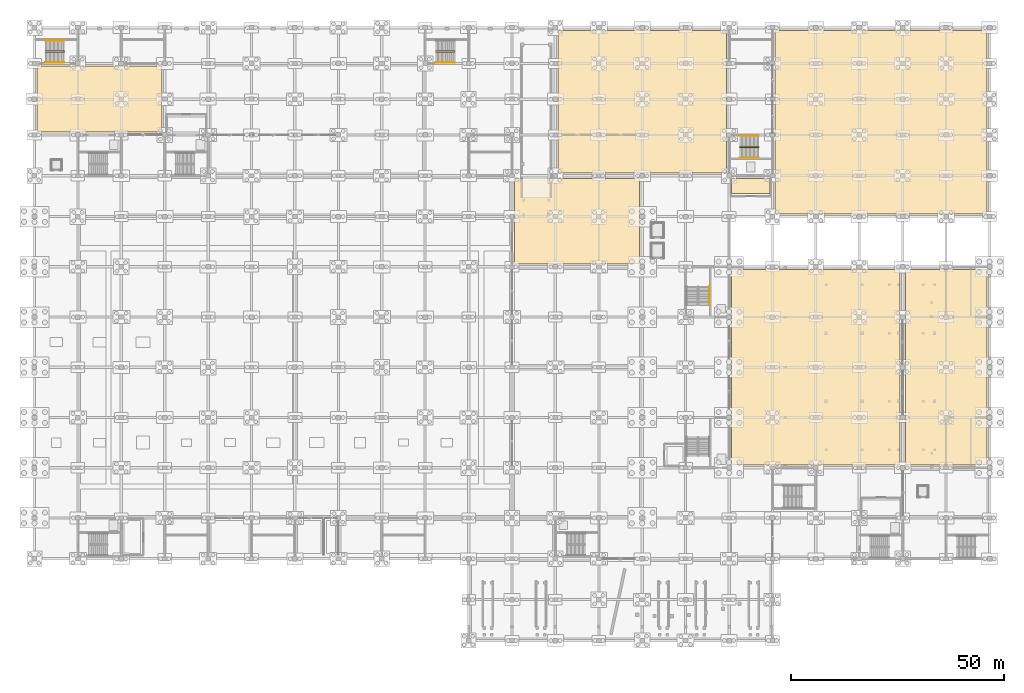
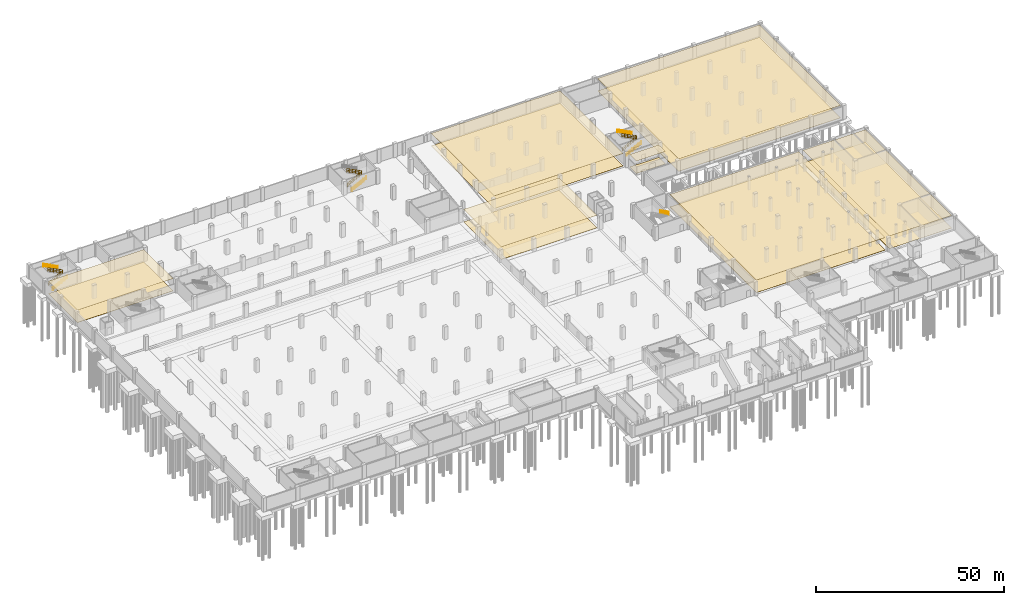
# One storey, part 50 of 52: 14 coverings, 9 railings.
"""IFC4 building model written with IfcOpenShell, lengths in metres."""

from ifc_helpers import new_model, si_unit, direction, frame, origin, origin_2d, place, context, subcontext, project, spatial, polyline, circle, outline, extrude, material, layer, layer_set, type_object, element, save


model = new_model("IFC4")

# Units and contexts
model_context = context("Model", 3, precision=1e-05, world=origin(), true_north=direction((0.0, 1.0)))
body_context = subcontext(model_context, "Body", "Model", "MODEL_VIEW")
ifc_project = project(units=[si_unit("LENGTHUNIT", "METRE"), si_unit("AREAUNIT", "SQUARE_METRE"), si_unit("VOLUMEUNIT", "CUBIC_METRE"), si_unit("PLANEANGLEUNIT", "RADIAN"), si_unit("MASSUNIT", "GRAM", prefix="KILO")], contexts=[model_context])

# Site, building, storey
site_placement = place(None, origin())
site = spatial("IfcSite", under=ifc_project, at=site_placement, CompositionType="ELEMENT")
building_placement = place(site_placement, origin())
building = spatial("IfcBuilding", under=site, at=building_placement, Name="Brelvane Convention Centre", CompositionType="ELEMENT")
storey_placement = place(building_placement, frame((0.0, 0.0, -4.5)))
storey = spatial("IfcBuildingStorey", under=building, at=storey_placement, Name="B1", CompositionType="ELEMENT", Elevation=-4.5)

# Coverings
ifc_material_1 = material(Name="Perforated Anodised Aluminium Alloy 6063 Acoustic Baffle", Category="aluminium")
ifc_layer_1 = layer(ifc_material_1, 0.110107421875)
ifc_layer_set_1 = layer_set([ifc_layer_1], Name="Perforated Anodised Aluminium Alloy 6063 Acoustic Baffle")
covering_type_1 = type_object("IfcCoveringType", Name="Interior Finish CL-BAF-110", PredefinedType="CEILING", material=ifc_layer_set_1)
covering_1_placement = place(storey_placement, frame((0.0, 0.0, 3.989990234375)))
element("IfcCovering", 1, at=covering_1_placement, inside=storey, type_object=covering_type_1, Name="District Chiller Plant Room Acoustic Ceiling (CL-BAF-110)", PredefinedType="CEILING", context=body_context, shape_type="SweptSolid", body=[
    extrude(outline(polyline([(163.830078125, 41.22998046875), (203.3701171875, 41.22998046875), (203.3701171875, 87.169921875), (163.830078125, 87.169921875), (163.830078125, 41.22998046875)])), origin(), (0.0, 0.0, 1.0), 0.110107421875),
])
ifc_material_2 = material(Name="Perforated Anodised Aluminium Alloy 6063 Acoustic Baffle", Category="aluminium")
ifc_layer_2 = layer(ifc_material_2, 0.090087890625)
ifc_layer_set_2 = layer_set([ifc_layer_2], Name="Perforated Anodised Aluminium Alloy 6063 Acoustic Baffle")
covering_type_2 = type_object("IfcCoveringType", Name="Interior Finish CL-BAF-90", PredefinedType="CEILING", material=ifc_layer_set_2)
covering_2_placement = place(storey_placement, frame((0.0, 0.0, 4.010009765625)))
element("IfcCovering", 2, at=covering_2_placement, inside=storey, type_object=covering_type_2, Name="Basement Service Loading Hall Acoustic Ceiling (CL-BAF-90)", PredefinedType="CEILING", context=body_context, shape_type="SweptSolid", body=[
    extrude(outline(polyline([(123.030029296875, 109.830078125), (162.570068359375, 109.830078125), (162.570068359375, 143.3701171875), (123.030029296875, 143.3701171875), (123.030029296875, 109.830078125)])), origin(), (0.0, 0.0, 1.0), 0.090087890625),
])
ifc_material_3 = material(Name="Moisture-Resistant Acoustic Gypsum Ceiling Tile Grade A")
ifc_layer_3 = layer(ifc_material_3, 0.01806640625)
ifc_layer_set_3 = layer_set([ifc_layer_3], Name="Moisture-Resistant Acoustic Gypsum Ceiling Tile Grade A")
covering_type_3 = type_object("IfcCoveringType", Name="Interior Finish CL-GYP-18", PredefinedType="CEILING", material=ifc_layer_set_3)
covering_3_placement = place(storey_placement, frame((0.0, 0.0, 4.037109375)))
element("IfcCovering", 3, at=covering_3_placement, inside=storey, type_object=covering_type_3, Name="Firefighting Lift Lobby C5 Acoustic Ceiling (CL-GYP-18)", PredefinedType="CEILING", context=body_context, shape_type="SweptSolid", body=[
    extrude(outline(polyline([(163.830078125, 105.030029296875), (172.77001953125, 105.030029296875), (172.77001953125, 108.570068359375), (163.830078125, 108.570068359375), (163.830078125, 105.030029296875)])), origin(), (0.0, 0.0, 1.0), 0.017822265625),
])
covering_4_placement = place(storey_placement, frame((0.0, 0.0, 4.08203125)))
element("IfcCovering", 4, at=covering_4_placement, inside=storey, type_object=covering_type_3, Name="Fire Sprinkler and Storm Pump Room Acoustic Ceiling (CL-GYP-18)", PredefinedType="CEILING", context=body_context, shape_type="SweptSolid", body=[
    extrude(outline(polyline([(204.6298828125, 41.22998046875), (223.77001953125, 41.22998046875), (223.77001953125, 87.169921875), (204.6298828125, 87.169921875), (204.6298828125, 41.22998046875)])), origin(), (0.0, 0.0, 1.0), 0.01806640625),
])
ifc_material_4 = material(Name="Moisture-Resistant Acoustic Gypsum Ceiling Tile Grade A")
ifc_layer_4 = layer(ifc_material_4, 0.02490234375)
ifc_layer_set_4 = layer_set([ifc_layer_4], Name="Moisture-Resistant Acoustic Gypsum Ceiling Tile Grade A")
covering_type_4 = type_object("IfcCoveringType", Name="Interior Finish CL-GYP-25", PredefinedType="CEILING", material=ifc_layer_set_4)
covering_5_placement = place(storey_placement, frame((0.0, 0.0, 4.030029296875)))
element("IfcCovering", 5, at=covering_5_placement, inside=storey, type_object=covering_type_4, Name="HT Electrical Substation and UPS Plant Acoustic Ceiling (CL-GYP-25)", PredefinedType="CEILING", context=body_context, shape_type="SweptSolid", body=[
    extrude(outline(polyline([(174.030029296875, 100.22998046875), (223.77001953125, 100.22998046875), (223.77001953125, 143.3701171875), (174.030029296875, 143.3701171875), (174.030029296875, 100.22998046875)])), origin(), (0.0, 0.0, 1.0), 0.02490234375),
])
ifc_material_5 = material(Name="Moisture-Resistant Acoustic Gypsum Ceiling Tile Grade A")
ifc_layer_5 = layer(ifc_material_5, 0.0419921875)
ifc_layer_set_5 = layer_set([ifc_layer_5], Name="Moisture-Resistant Acoustic Gypsum Ceiling Tile Grade A")
covering_type_5 = type_object("IfcCoveringType", Name="Interior Finish CL-GYP-42", PredefinedType="CEILING", material=ifc_layer_set_5)
covering_6_placement = place(storey_placement, frame((0.0, 0.0, 4.077880859375)))
element("IfcCovering", 6, at=covering_6_placement, inside=storey, type_object=covering_type_5, Name="Basement Freight Ramp Marshalling Apron Acoustic Ceiling (CL-GYP-42)", PredefinedType="CEILING", context=body_context, shape_type="SweptSolid", body=[
    extrude(outline(polyline([(112.830078125, 88.429931640625), (142.169921875, 88.429931640625), (142.169921875, 108.570068359375), (112.830078125, 108.570068359375), (112.830078125, 88.429931640625)])), origin(), (0.0, 0.0, 1.0), 0.042236328125),
])
covering_7_placement = place(storey_placement, frame((0.0, 0.0, 4.04296875)))
element("IfcCovering", 7, at=covering_7_placement, inside=storey, type_object=covering_type_5, Name="Housekeeping and Banquet Linen Store Acoustic Ceiling (CL-GYP-42)", PredefinedType="CEILING", context=body_context, shape_type="SweptSolid", body=[
    extrude(outline(polyline([(0.6298828125, 119.429931640625), (29.969970703125, 119.429931640625), (29.969970703125, 134.969970703125), (0.6298828125, 134.969970703125), (0.6298828125, 119.429931640625)])), origin(), (0.0, 0.0, 1.0), 0.0419921875),
])
ifc_material_6 = material(Name="Solution-Dyed Heavy Contract Wool Carpet Class 1")
ifc_layer_6 = layer(ifc_material_6, 0.02197265625)
ifc_layer_set_6 = layer_set([ifc_layer_6], Name="Solution-Dyed Heavy Contract Wool Carpet Class 1")
covering_type_6 = type_object("IfcCoveringType", Name="Interior Finish FL-CPT-22", PredefinedType="FLOORING", material=ifc_layer_set_6)
covering_8_placement = place(storey_placement, origin())
element("IfcCovering", 8, at=covering_8_placement, inside=storey, type_object=covering_type_6, Name="Firefighting Lift Lobby C5 Floor Finish (FL-CPT-22)", PredefinedType="FLOORING", context=body_context, shape_type="SweptSolid", body=[
    extrude(outline(polyline([(163.830078125, 105.030029296875), (172.77001953125, 105.030029296875), (172.77001953125, 108.570068359375), (163.830078125, 108.570068359375), (163.830078125, 105.030029296875)])), origin(), (0.0, 0.0, 1.0), 0.02197265625),
])
covering_9_placement = place(storey_placement, origin())
element("IfcCovering", 9, at=covering_9_placement, inside=storey, type_object=covering_type_6, Name="Fire Sprinkler and Storm Pump Room Floor Finish (FL-CPT-22)", PredefinedType="FLOORING", context=body_context, shape_type="SweptSolid", body=[
    extrude(outline(polyline([(204.6298828125, 41.22998046875), (223.77001953125, 41.22998046875), (223.77001953125, 87.169921875), (204.6298828125, 87.169921875), (204.6298828125, 41.22998046875)])), origin(), (0.0, 0.0, 1.0), 0.02197265625),
])
ifc_material_7 = material(Name="Solution-Dyed Heavy Contract Wool Carpet Class 1")
ifc_layer_7 = layer(ifc_material_7, 0.028076171875)
ifc_layer_set_7 = layer_set([ifc_layer_7], Name="Solution-Dyed Heavy Contract Wool Carpet Class 1")
covering_type_7 = type_object("IfcCoveringType", Name="Interior Finish FL-CPT-28", PredefinedType="FLOORING", material=ifc_layer_set_7)
covering_10_placement = place(storey_placement, origin())
element("IfcCovering", 10, at=covering_10_placement, inside=storey, type_object=covering_type_7, Name="HT Electrical Substation and UPS Plant Floor Finish (FL-CPT-28)", PredefinedType="FLOORING", context=body_context, shape_type="SweptSolid", body=[
    extrude(outline(polyline([(174.030029296875, 100.22998046875), (223.77001953125, 100.22998046875), (223.77001953125, 143.3701171875), (174.030029296875, 143.3701171875), (174.030029296875, 100.22998046875)])), origin(), (0.0, 0.0, 1.0), 0.028076171875),
])
ifc_material_8 = material(Name="Heavy-Duty Quartz-Filled Industrial Epoxy Screed Grade A")
ifc_layer_8 = layer(ifc_material_8, 0.034912109375)
ifc_layer_set_8 = layer_set([ifc_layer_8], Name="Heavy-Duty Quartz-Filled Industrial Epoxy Screed Grade A")
covering_type_8 = type_object("IfcCoveringType", Name="Interior Finish FL-EPX-35", PredefinedType="FLOORING", material=ifc_layer_set_8)
covering_11_placement = place(storey_placement, origin())
element("IfcCovering", 11, at=covering_11_placement, inside=storey, type_object=covering_type_8, Name="Basement Service Loading Hall Floor Finish (FL-EPX-35)", PredefinedType="FLOORING", context=body_context, shape_type="SweptSolid", body=[
    extrude(outline(polyline([(123.030029296875, 109.830078125), (162.570068359375, 109.830078125), (162.570068359375, 143.3701171875), (123.030029296875, 143.3701171875), (123.030029296875, 109.830078125)])), origin(), (0.0, 0.0, 1.0), 0.034912109375),
])
ifc_material_9 = material(Name="Heavy-Duty Quartz-Filled Industrial Epoxy Screed Grade A")
ifc_layer_9 = layer(ifc_material_9, 0.044921875)
ifc_layer_set_9 = layer_set([ifc_layer_9], Name="Heavy-Duty Quartz-Filled Industrial Epoxy Screed Grade A")
covering_type_9 = type_object("IfcCoveringType", Name="Interior Finish FL-EPX-45", PredefinedType="FLOORING", material=ifc_layer_set_9)
covering_12_placement = place(storey_placement, origin())
element("IfcCovering", 12, at=covering_12_placement, inside=storey, type_object=covering_type_9, Name="District Chiller Plant Room Floor Finish (FL-EPX-45)", PredefinedType="FLOORING", context=body_context, shape_type="SweptSolid", body=[
    extrude(outline(polyline([(163.830078125, 41.22998046875), (203.3701171875, 41.22998046875), (203.3701171875, 87.169921875), (163.830078125, 87.169921875), (163.830078125, 41.22998046875)])), origin(), (0.0, 0.0, 1.0), 0.044921875),
])
ifc_material_10 = material(Name="Polished Basalt-Aggregate Terrazzo Screed Concrete M30", Category="masonry")
ifc_layer_10 = layer(ifc_material_10, 0.054931640625)
ifc_layer_set_10 = layer_set([ifc_layer_10], Name="Polished Basalt-Aggregate Terrazzo Screed Concrete M30")
covering_type_10 = type_object("IfcCoveringType", Name="Interior Finish FL-STN-55", PredefinedType="FLOORING", material=ifc_layer_set_10)
covering_13_placement = place(storey_placement, origin())
element("IfcCovering", 13, at=covering_13_placement, inside=storey, type_object=covering_type_10, Name="Basement Freight Ramp Marshalling Apron Floor Finish (FL-STN-55)", PredefinedType="FLOORING", context=body_context, shape_type="SweptSolid", body=[
    extrude(outline(polyline([(112.830078125, 88.429931640625), (142.169921875, 88.429931640625), (142.169921875, 108.570068359375), (112.830078125, 108.570068359375), (112.830078125, 88.429931640625)])), origin(), (0.0, 0.0, 1.0), 0.054931640625),
])
covering_14_placement = place(storey_placement, origin())
element("IfcCovering", 14, at=covering_14_placement, inside=storey, type_object=covering_type_10, Name="Housekeeping and Banquet Linen Store Floor Finish (FL-STN-55)", PredefinedType="FLOORING", context=body_context, shape_type="SweptSolid", body=[
    extrude(outline(polyline([(0.6298828125, 119.429931640625), (29.969970703125, 119.429931640625), (29.969970703125, 134.969970703125), (0.6298828125, 134.969970703125), (0.6298828125, 119.429931640625)])), origin(), (0.0, 0.0, 1.0), 0.054931640625),
])

# Railings
ifc_material_11 = material(Name="Steel E350 (350 MPa)", Category="steel")
railing_type_1 = type_object("IfcRailingType", Name="Stair Railing GR-ST-1", PredefinedType="GUARDRAIL", material=ifc_material_11)
railing_1_placement = place(storey_placement, frame((165.75, 115.840087890625, -0.02001953125)))
element("IfcRailing", 15, at=railing_1_placement, inside=storey, type_object=railing_type_1, Name="Stair ST-05 B1 Inner Well Guard", PredefinedType="GUARDRAIL", context=body_context, shape_type="SweptSolid", body=[
    extrude(circle(Radius=0.02392578125, at=origin_2d()), frame((0.0, 0.0, 1.1259765625), z_axis=(0.889118431412, 0.0, 0.45767719511), x_axis=(0.0, 1.0, 0.0)), (0.0, 0.0, 1.0), 4.9599609375),
    extrude(circle(Radius=0.02392578125, at=origin_2d()), frame((0.0, 0.0, 0.597900390625), z_axis=(0.889118431412, 0.0, 0.45767719511), x_axis=(0.0, 1.0, 0.0)), (0.0, 0.0, 1.0), 4.9599609375),
    extrude(circle(Radius=0.02392578125, at=origin_2d()), frame((0.0, 0.0, 0.139892578125), z_axis=(0.889118431412, 0.0, 0.45767719511), x_axis=(0.0, 1.0, 0.0)), (0.0, 0.0, 1.0), 4.9599609375),
    extrude(circle(Radius=0.02392578125, at=origin_2d()), frame((4.409912109375, 0.0, 3.39599609375), z_axis=(0.0, 1.0, 0.0), x_axis=(-1.0, 0.0, 0.0)), (0.0, 0.0, 1.0), 0.31982421875),
    extrude(circle(Radius=0.02392578125, at=origin_2d()), frame((4.409912109375, 0.0, 2.867919921875), z_axis=(0.0, 1.0, 0.0), x_axis=(-1.0, 0.0, 0.0)), (0.0, 0.0, 1.0), 0.31982421875),
    extrude(circle(Radius=0.02392578125, at=origin_2d()), frame((4.409912109375, 0.0, 2.409912109375), z_axis=(0.0, 1.0, 0.0), x_axis=(-1.0, 0.0, 0.0)), (0.0, 0.0, 1.0), 0.31982421875),
    extrude(circle(Radius=0.02392578125, at=origin_2d()), frame((4.409912109375, 0.31982421875, 3.39599609375), z_axis=(-0.892392434286, 0.0, 0.451260172439), x_axis=(0.0, -1.0, 0.0)), (0.0, 0.0, 1.0), 4.941650390625),
    extrude(circle(Radius=0.02392578125, at=origin_2d()), frame((4.409912109375, 0.31982421875, 2.867919921875), z_axis=(-0.892392434286, 0.0, 0.451260172439), x_axis=(0.0, -1.0, 0.0)), (0.0, 0.0, 1.0), 4.941650390625),
    extrude(circle(Radius=0.02392578125, at=origin_2d()), frame((4.409912109375, 0.31982421875, 2.409912109375), z_axis=(-0.892392434286, 0.0, 0.451260172439), x_axis=(0.0, -1.0, 0.0)), (0.0, 0.0, 1.0), 4.941650390625),
    extrude(circle(Radius=0.02099609375, at=origin_2d()), origin(), (0.0, 0.0, 1.0), 1.101806640625),
    extrude(circle(Radius=0.02099609375, at=origin_2d()), frame((0.882080078125, 0.0, 0.4541015625)), (0.0, 0.0, 1.0), 1.101806640625),
    extrude(circle(Radius=0.02099609375, at=origin_2d()), frame((1.763916015625, 0.0, 0.907958984375)), (0.0, 0.0, 1.0), 1.101806640625),
    extrude(circle(Radius=0.02099609375, at=origin_2d()), frame((2.64599609375, 0.0, 1.362060546875)), (0.0, 0.0, 1.0), 1.101806640625),
    extrude(circle(Radius=0.02099609375, at=origin_2d()), frame((3.52783203125, 0.0, 1.81591796875)), (0.0, 0.0, 1.0), 1.101806640625),
    extrude(circle(Radius=0.02099609375, at=origin_2d()), frame((4.409912109375, 0.0, 2.27001953125)), (0.0, 0.0, 1.0), 1.101806640625),
    extrude(circle(Radius=0.02099609375, at=origin_2d()), frame((4.409912109375, 0.31982421875, 2.27001953125)), (0.0, 0.0, 1.0), 1.101806640625),
    extrude(circle(Radius=0.02099609375, at=origin_2d()), frame((3.52783203125, 0.31982421875, 2.716064453125)), (0.0, 0.0, 1.0), 1.101806640625),
    extrude(circle(Radius=0.02099609375, at=origin_2d()), frame((2.64599609375, 0.31982421875, 3.162109375)), (0.0, 0.0, 1.0), 1.101806640625),
    extrude(circle(Radius=0.02099609375, at=origin_2d()), frame((1.763916015625, 0.31982421875, 3.60791015625)), (0.0, 0.0, 1.0), 1.101806640625),
    extrude(circle(Radius=0.02099609375, at=origin_2d()), frame((0.882080078125, 0.31982421875, 4.053955078125)), (0.0, 0.0, 1.0), 1.101806640625),
    extrude(circle(Radius=0.02099609375, at=origin_2d()), frame((0.0, 0.31982421875, 4.5)), (0.0, 0.0, 1.0), 1.101806640625),
])
railing_2_placement = place(storey_placement, frame((94.35009765625, 138.239990234375, -0.02001953125)))
element("IfcRailing", 16, at=railing_2_placement, inside=storey, type_object=railing_type_1, Name="Stair ST-12 B1 Inner Well Guard", PredefinedType="GUARDRAIL", context=body_context, shape_type="SweptSolid", body=[
    extrude(circle(Radius=0.02392578125, at=origin_2d()), frame((0.0, 0.0, 1.1259765625), z_axis=(0.889118431412, 0.0, 0.45767719511), x_axis=(0.0, 1.0, 0.0)), (0.0, 0.0, 1.0), 4.9599609375),
    extrude(circle(Radius=0.02392578125, at=origin_2d()), frame((0.0, 0.0, 0.597900390625), z_axis=(0.889118431412, 0.0, 0.45767719511), x_axis=(0.0, 1.0, 0.0)), (0.0, 0.0, 1.0), 4.9599609375),
    extrude(circle(Radius=0.02392578125, at=origin_2d()), frame((0.0, 0.0, 0.139892578125), z_axis=(0.889118431412, 0.0, 0.45767719511), x_axis=(0.0, 1.0, 0.0)), (0.0, 0.0, 1.0), 4.9599609375),
    extrude(circle(Radius=0.02392578125, at=origin_2d()), frame((4.409912109375, 0.0, 3.39599609375), z_axis=(0.0, 1.0, 0.0), x_axis=(-1.0, 0.0, 0.0)), (0.0, 0.0, 1.0), 0.320068359375),
    extrude(circle(Radius=0.02392578125, at=origin_2d()), frame((4.409912109375, 0.0, 2.867919921875), z_axis=(0.0, 1.0, 0.0), x_axis=(-1.0, 0.0, 0.0)), (0.0, 0.0, 1.0), 0.320068359375),
    extrude(circle(Radius=0.02392578125, at=origin_2d()), frame((4.409912109375, 0.0, 2.409912109375), z_axis=(0.0, 1.0, 0.0), x_axis=(-1.0, 0.0, 0.0)), (0.0, 0.0, 1.0), 0.320068359375),
    extrude(circle(Radius=0.02392578125, at=origin_2d()), frame((4.409912109375, 0.320068359375, 3.39599609375), z_axis=(-0.892392434286, 0.0, 0.451260172439), x_axis=(0.0, -1.0, 0.0)), (0.0, 0.0, 1.0), 4.941650390625),
    extrude(circle(Radius=0.02392578125, at=origin_2d()), frame((4.409912109375, 0.320068359375, 2.867919921875), z_axis=(-0.892392434286, 0.0, 0.451260172439), x_axis=(0.0, -1.0, 0.0)), (0.0, 0.0, 1.0), 4.941650390625),
    extrude(circle(Radius=0.02392578125, at=origin_2d()), frame((4.409912109375, 0.320068359375, 2.409912109375), z_axis=(-0.892392434286, 0.0, 0.451260172439), x_axis=(0.0, -1.0, 0.0)), (0.0, 0.0, 1.0), 4.941650390625),
    extrude(circle(Radius=0.02099609375, at=origin_2d()), origin(), (0.0, 0.0, 1.0), 1.101806640625),
    extrude(circle(Radius=0.02099609375, at=origin_2d()), frame((0.882080078125, 0.0, 0.4541015625)), (0.0, 0.0, 1.0), 1.101806640625),
    extrude(circle(Radius=0.02099609375, at=origin_2d()), frame((1.763916015625, 0.0, 0.907958984375)), (0.0, 0.0, 1.0), 1.101806640625),
    extrude(circle(Radius=0.02099609375, at=origin_2d()), frame((2.64599609375, 0.0, 1.362060546875)), (0.0, 0.0, 1.0), 1.101806640625),
    extrude(circle(Radius=0.02099609375, at=origin_2d()), frame((3.52783203125, 0.0, 1.81591796875)), (0.0, 0.0, 1.0), 1.101806640625),
    extrude(circle(Radius=0.02099609375, at=origin_2d()), frame((4.409912109375, 0.0, 2.27001953125)), (0.0, 0.0, 1.0), 1.101806640625),
    extrude(circle(Radius=0.02099609375, at=origin_2d()), frame((4.409912109375, 0.320068359375, 2.27001953125)), (0.0, 0.0, 1.0), 1.101806640625),
    extrude(circle(Radius=0.02099609375, at=origin_2d()), frame((3.52783203125, 0.320068359375, 2.716064453125)), (0.0, 0.0, 1.0), 1.101806640625),
    extrude(circle(Radius=0.02099609375, at=origin_2d()), frame((2.64599609375, 0.320068359375, 3.162109375)), (0.0, 0.0, 1.0), 1.101806640625),
    extrude(circle(Radius=0.02099609375, at=origin_2d()), frame((1.763916015625, 0.320068359375, 3.60791015625)), (0.0, 0.0, 1.0), 1.101806640625),
    extrude(circle(Radius=0.02099609375, at=origin_2d()), frame((0.882080078125, 0.320068359375, 4.053955078125)), (0.0, 0.0, 1.0), 1.101806640625),
    extrude(circle(Radius=0.02099609375, at=origin_2d()), frame((0.0, 0.320068359375, 4.5)), (0.0, 0.0, 1.0), 1.101806640625),
])
railing_3_placement = place(storey_placement, frame((2.550048828125, 138.239990234375, -0.02001953125)))
element("IfcRailing", 17, at=railing_3_placement, inside=storey, type_object=railing_type_1, Name="Stair ST-17 B1 Inner Well Guard", PredefinedType="GUARDRAIL", context=body_context, shape_type="SweptSolid", body=[
    extrude(circle(Radius=0.02392578125, at=origin_2d()), frame((0.0, 0.0, 1.1259765625), z_axis=(0.889118431412, 0.0, 0.45767719511), x_axis=(0.0, 1.0, 0.0)), (0.0, 0.0, 1.0), 4.9599609375),
    extrude(circle(Radius=0.02392578125, at=origin_2d()), frame((0.0, 0.0, 0.597900390625), z_axis=(0.889118431412, 0.0, 0.45767719511), x_axis=(0.0, 1.0, 0.0)), (0.0, 0.0, 1.0), 4.9599609375),
    extrude(circle(Radius=0.02392578125, at=origin_2d()), frame((0.0, 0.0, 0.139892578125), z_axis=(0.889118431412, 0.0, 0.45767719511), x_axis=(0.0, 1.0, 0.0)), (0.0, 0.0, 1.0), 4.9599609375),
    extrude(circle(Radius=0.02392578125, at=origin_2d()), frame((4.409912109375, 0.0, 3.39599609375), z_axis=(0.0, 1.0, 0.0), x_axis=(-1.0, 0.0, 0.0)), (0.0, 0.0, 1.0), 0.320068359375),
    extrude(circle(Radius=0.02392578125, at=origin_2d()), frame((4.409912109375, 0.0, 2.867919921875), z_axis=(0.0, 1.0, 0.0), x_axis=(-1.0, 0.0, 0.0)), (0.0, 0.0, 1.0), 0.320068359375),
    extrude(circle(Radius=0.02392578125, at=origin_2d()), frame((4.409912109375, 0.0, 2.409912109375), z_axis=(0.0, 1.0, 0.0), x_axis=(-1.0, 0.0, 0.0)), (0.0, 0.0, 1.0), 0.320068359375),
    extrude(circle(Radius=0.02392578125, at=origin_2d()), frame((4.409912109375, 0.320068359375, 3.39599609375), z_axis=(-0.892392434286, 0.0, 0.451260172439), x_axis=(0.0, -1.0, 0.0)), (0.0, 0.0, 1.0), 4.941650390625),
    extrude(circle(Radius=0.02392578125, at=origin_2d()), frame((4.409912109375, 0.320068359375, 2.867919921875), z_axis=(-0.892392434286, 0.0, 0.451260172439), x_axis=(0.0, -1.0, 0.0)), (0.0, 0.0, 1.0), 4.941650390625),
    extrude(circle(Radius=0.02392578125, at=origin_2d()), frame((4.409912109375, 0.320068359375, 2.409912109375), z_axis=(-0.892392434286, 0.0, 0.451260172439), x_axis=(0.0, -1.0, 0.0)), (0.0, 0.0, 1.0), 4.941650390625),
    extrude(circle(Radius=0.02099609375, at=origin_2d()), origin(), (0.0, 0.0, 1.0), 1.101806640625),
    extrude(circle(Radius=0.02099609375, at=origin_2d()), frame((0.882080078125, 0.0, 0.4541015625)), (0.0, 0.0, 1.0), 1.101806640625),
    extrude(circle(Radius=0.02099609375, at=origin_2d()), frame((1.763916015625, 0.0, 0.907958984375)), (0.0, 0.0, 1.0), 1.101806640625),
    extrude(circle(Radius=0.02099609375, at=origin_2d()), frame((2.64599609375, 0.0, 1.362060546875)), (0.0, 0.0, 1.0), 1.101806640625),
    extrude(circle(Radius=0.02099609375, at=origin_2d()), frame((3.52783203125, 0.0, 1.81591796875)), (0.0, 0.0, 1.0), 1.101806640625),
    extrude(circle(Radius=0.02099609375, at=origin_2d()), frame((4.409912109375, 0.0, 2.27001953125)), (0.0, 0.0, 1.0), 1.101806640625),
    extrude(circle(Radius=0.02099609375, at=origin_2d()), frame((4.409912109375, 0.320068359375, 2.27001953125)), (0.0, 0.0, 1.0), 1.101806640625),
    extrude(circle(Radius=0.02099609375, at=origin_2d()), frame((3.52783203125, 0.320068359375, 2.716064453125)), (0.0, 0.0, 1.0), 1.101806640625),
    extrude(circle(Radius=0.02099609375, at=origin_2d()), frame((2.64599609375, 0.320068359375, 3.162109375)), (0.0, 0.0, 1.0), 1.101806640625),
    extrude(circle(Radius=0.02099609375, at=origin_2d()), frame((1.763916015625, 0.320068359375, 3.60791015625)), (0.0, 0.0, 1.0), 1.101806640625),
    extrude(circle(Radius=0.02099609375, at=origin_2d()), frame((0.882080078125, 0.320068359375, 4.053955078125)), (0.0, 0.0, 1.0), 1.101806640625),
    extrude(circle(Radius=0.02099609375, at=origin_2d()), frame((0.0, 0.320068359375, 4.5)), (0.0, 0.0, 1.0), 1.101806640625),
])
ifc_material_12 = material(Name="Steel E350 (350 MPa)", Category="steel")
railing_type_2 = type_object("IfcRailingType", Name="Stair Railing HR-ST-1", PredefinedType="HANDRAIL", material=ifc_material_12)
railing_4_placement = place(storey_placement, frame((158.570068359375, 83.22998046875, 2.25)))
element("IfcRailing", 18, at=railing_4_placement, inside=storey, type_object=railing_type_2, Name="Stair ST-04 B1 Outer Handrail F2", PredefinedType="HANDRAIL", context=body_context, shape_type="SweptSolid", body=[
    extrude(circle(Radius=0.02392578125, at=origin_2d()), frame((0.0, 0.0, 0.89599609375), z_axis=(0.0, -0.895225852443, 0.445612694072), x_axis=(1.0, 0.0, 0.0)), (0.0, 0.0, 1.0), 5.00439453125),
    extrude(circle(Radius=0.02392578125, at=origin_2d()), frame((0.0, 0.0, 0.478271484375), z_axis=(0.0, -0.895225852443, 0.445612694072), x_axis=(1.0, 0.0, 0.0)), (0.0, 0.0, 1.0), 5.00439453125),
    extrude(circle(Radius=0.02392578125, at=origin_2d()), frame((0.0, 0.0, 0.139892578125), z_axis=(0.0, -0.895225852443, 0.445612694072), x_axis=(1.0, 0.0, 0.0)), (0.0, 0.0, 1.0), 5.00439453125),
    extrude(circle(Radius=0.02099609375, at=origin_2d()), origin(), (0.0, 0.0, 1.0), 0.871826171875),
    extrude(circle(Radius=0.02099609375, at=origin_2d()), frame((0.0, -0.89599609375, 0.446044921875)), (0.0, 0.0, 1.0), 0.871826171875),
    extrude(circle(Radius=0.02099609375, at=origin_2d()), frame((0.0, -1.7919921875, 0.89208984375)), (0.0, 0.0, 1.0), 0.871826171875),
    extrude(circle(Radius=0.02099609375, at=origin_2d()), frame((0.0, -2.68798828125, 1.337890625)), (0.0, 0.0, 1.0), 0.871826171875),
    extrude(circle(Radius=0.02099609375, at=origin_2d()), frame((0.0, -3.583984375, 1.783935546875)), (0.0, 0.0, 1.0), 0.871826171875),
    extrude(circle(Radius=0.02099609375, at=origin_2d()), frame((0.0, -4.47998046875, 2.22998046875)), (0.0, 0.0, 1.0), 0.871826171875),
])
railing_5_placement = place(storey_placement, frame((165.75, 113.429931640625, -0.02001953125)))
element("IfcRailing", 19, at=railing_5_placement, inside=storey, type_object=railing_type_2, Name="Stair ST-05 B1 Outer Handrail F1", PredefinedType="HANDRAIL", context=body_context, shape_type="SweptSolid", body=[
    extrude(circle(Radius=0.02392578125, at=origin_2d()), frame((0.0, 0.0, 0.89599609375), z_axis=(0.889118431412, 0.0, 0.45767719511), x_axis=(0.0, 1.0, 0.0)), (0.0, 0.0, 1.0), 4.9599609375),
    extrude(circle(Radius=0.02392578125, at=origin_2d()), frame((0.0, 0.0, 0.478271484375), z_axis=(0.889118431412, 0.0, 0.45767719511), x_axis=(0.0, 1.0, 0.0)), (0.0, 0.0, 1.0), 4.9599609375),
    extrude(circle(Radius=0.02392578125, at=origin_2d()), frame((0.0, 0.0, 0.139892578125), z_axis=(0.889118431412, 0.0, 0.45767719511), x_axis=(0.0, 1.0, 0.0)), (0.0, 0.0, 1.0), 4.9599609375),
    extrude(circle(Radius=0.02099609375, at=origin_2d()), origin(), (0.0, 0.0, 1.0), 0.871826171875),
    extrude(circle(Radius=0.02099609375, at=origin_2d()), frame((0.882080078125, 0.0, 0.4541015625)), (0.0, 0.0, 1.0), 0.871826171875),
    extrude(circle(Radius=0.02099609375, at=origin_2d()), frame((1.763916015625, 0.0, 0.907958984375)), (0.0, 0.0, 1.0), 0.871826171875),
    extrude(circle(Radius=0.02099609375, at=origin_2d()), frame((2.64599609375, 0.0, 1.362060546875)), (0.0, 0.0, 1.0), 0.871826171875),
    extrude(circle(Radius=0.02099609375, at=origin_2d()), frame((3.52783203125, 0.0, 1.81591796875)), (0.0, 0.0, 1.0), 0.871826171875),
    extrude(circle(Radius=0.02099609375, at=origin_2d()), frame((4.409912109375, 0.0, 2.27001953125)), (0.0, 0.0, 1.0), 0.871826171875),
])
railing_6_placement = place(storey_placement, frame((170.159912109375, 118.570068359375, 2.25)))
element("IfcRailing", 20, at=railing_6_placement, inside=storey, type_object=railing_type_2, Name="Stair ST-05 B1 Outer Handrail F2", PredefinedType="HANDRAIL", context=body_context, shape_type="SweptSolid", body=[
    extrude(circle(Radius=0.02392578125, at=origin_2d()), frame((0.0, 0.0, 0.89599609375), z_axis=(-0.892392434286, 0.0, 0.451260172439), x_axis=(0.0, -1.0, 0.0)), (0.0, 0.0, 1.0), 4.941650390625),
    extrude(circle(Radius=0.02392578125, at=origin_2d()), frame((0.0, 0.0, 0.478271484375), z_axis=(-0.892392434286, 0.0, 0.451260172439), x_axis=(0.0, -1.0, 0.0)), (0.0, 0.0, 1.0), 4.941650390625),
    extrude(circle(Radius=0.02392578125, at=origin_2d()), frame((0.0, 0.0, 0.139892578125), z_axis=(-0.892392434286, 0.0, 0.451260172439), x_axis=(0.0, -1.0, 0.0)), (0.0, 0.0, 1.0), 4.941650390625),
    extrude(circle(Radius=0.02099609375, at=origin_2d()), origin(), (0.0, 0.0, 1.0), 0.871826171875),
    extrude(circle(Radius=0.02099609375, at=origin_2d()), frame((-0.882080078125, 0.0, 0.446044921875)), (0.0, 0.0, 1.0), 0.871826171875),
    extrude(circle(Radius=0.02099609375, at=origin_2d()), frame((-1.763916015625, 0.0, 0.89208984375)), (0.0, 0.0, 1.0), 0.871826171875),
    extrude(circle(Radius=0.02099609375, at=origin_2d()), frame((-2.64599609375, 0.0, 1.337890625)), (0.0, 0.0, 1.0), 0.871826171875),
    extrude(circle(Radius=0.02099609375, at=origin_2d()), frame((-3.52783203125, 0.0, 1.783935546875)), (0.0, 0.0, 1.0), 0.871826171875),
    extrude(circle(Radius=0.02099609375, at=origin_2d()), frame((-4.409912109375, 0.0, 2.22998046875)), (0.0, 0.0, 1.0), 0.871826171875),
])
for number, where, name in (
    (21, (94.35009765625, 135.830078125, -0.02001953125), "Stair ST-12 B1 Outer Handrail F1"),
    (22, (2.550048828125, 135.830078125, -0.02001953125), "Stair ST-17 B1 Outer Handrail F1"),
):
    element("IfcRailing", number, at=place(storey_placement, frame(where)), inside=storey, type_object=railing_type_2, Name=name, PredefinedType="HANDRAIL", context=body_context, shape_type="SweptSolid", body=[
        extrude(circle(Radius=0.02392578125, at=origin_2d()), frame((0.0, 0.0, 0.89599609375), z_axis=(0.889118431412, 0.0, 0.45767719511), x_axis=(0.0, 1.0, 0.0)), (0.0, 0.0, 1.0), 4.9599609375),
        extrude(circle(Radius=0.02392578125, at=origin_2d()), frame((0.0, 0.0, 0.478271484375), z_axis=(0.889118431412, 0.0, 0.45767719511), x_axis=(0.0, 1.0, 0.0)), (0.0, 0.0, 1.0), 4.9599609375),
        extrude(circle(Radius=0.02392578125, at=origin_2d()), frame((0.0, 0.0, 0.139892578125), z_axis=(0.889118431412, 0.0, 0.45767719511), x_axis=(0.0, 1.0, 0.0)), (0.0, 0.0, 1.0), 4.9599609375),
        extrude(circle(Radius=0.02099609375, at=origin_2d()), origin(), (0.0, 0.0, 1.0), 0.871826171875),
        extrude(circle(Radius=0.02099609375, at=origin_2d()), frame((0.882080078125, 0.0, 0.4541015625)), (0.0, 0.0, 1.0), 0.871826171875),
        extrude(circle(Radius=0.02099609375, at=origin_2d()), frame((1.763916015625, 0.0, 0.907958984375)), (0.0, 0.0, 1.0), 0.871826171875),
        extrude(circle(Radius=0.02099609375, at=origin_2d()), frame((2.64599609375, 0.0, 1.362060546875)), (0.0, 0.0, 1.0), 0.871826171875),
        extrude(circle(Radius=0.02099609375, at=origin_2d()), frame((3.52783203125, 0.0, 1.81591796875)), (0.0, 0.0, 1.0), 0.871826171875),
        extrude(circle(Radius=0.02099609375, at=origin_2d()), frame((4.409912109375, 0.0, 2.27001953125)), (0.0, 0.0, 1.0), 0.871826171875),
    ])
railing_7_placement = place(storey_placement, frame((6.9599609375, 140.969970703125, 2.25)))
element("IfcRailing", 23, at=railing_7_placement, inside=storey, type_object=railing_type_2, Name="Stair ST-17 B1 Outer Handrail F2", PredefinedType="HANDRAIL", context=body_context, shape_type="SweptSolid", body=[
    extrude(circle(Radius=0.02392578125, at=origin_2d()), frame((0.0, 0.0, 0.89599609375), z_axis=(-0.892392434286, 0.0, 0.451260172439), x_axis=(0.0, -1.0, 0.0)), (0.0, 0.0, 1.0), 4.941650390625),
    extrude(circle(Radius=0.02392578125, at=origin_2d()), frame((0.0, 0.0, 0.478271484375), z_axis=(-0.892392434286, 0.0, 0.451260172439), x_axis=(0.0, -1.0, 0.0)), (0.0, 0.0, 1.0), 4.941650390625),
    extrude(circle(Radius=0.02392578125, at=origin_2d()), frame((0.0, 0.0, 0.139892578125), z_axis=(-0.892392434286, 0.0, 0.451260172439), x_axis=(0.0, -1.0, 0.0)), (0.0, 0.0, 1.0), 4.941650390625),
    extrude(circle(Radius=0.02099609375, at=origin_2d()), origin(), (0.0, 0.0, 1.0), 0.871826171875),
    extrude(circle(Radius=0.02099609375, at=origin_2d()), frame((-0.882080078125, 0.0, 0.446044921875)), (0.0, 0.0, 1.0), 0.871826171875),
    extrude(circle(Radius=0.02099609375, at=origin_2d()), frame((-1.763916015625, 0.0, 0.89208984375)), (0.0, 0.0, 1.0), 0.871826171875),
    extrude(circle(Radius=0.02099609375, at=origin_2d()), frame((-2.64599609375, 0.0, 1.337890625)), (0.0, 0.0, 1.0), 0.871826171875),
    extrude(circle(Radius=0.02099609375, at=origin_2d()), frame((-3.52783203125, 0.0, 1.783935546875)), (0.0, 0.0, 1.0), 0.871826171875),
    extrude(circle(Radius=0.02099609375, at=origin_2d()), frame((-4.409912109375, 0.0, 2.22998046875)), (0.0, 0.0, 1.0), 0.871826171875),
])

save(model, "model.ifc")
